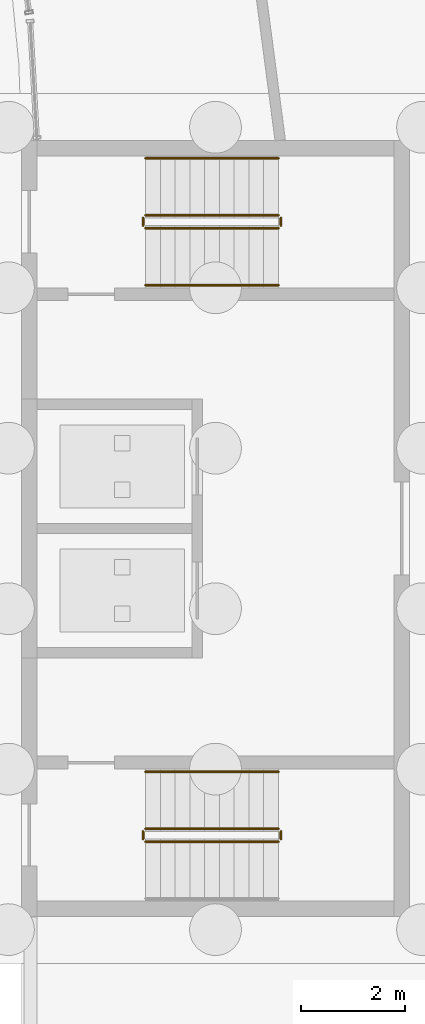
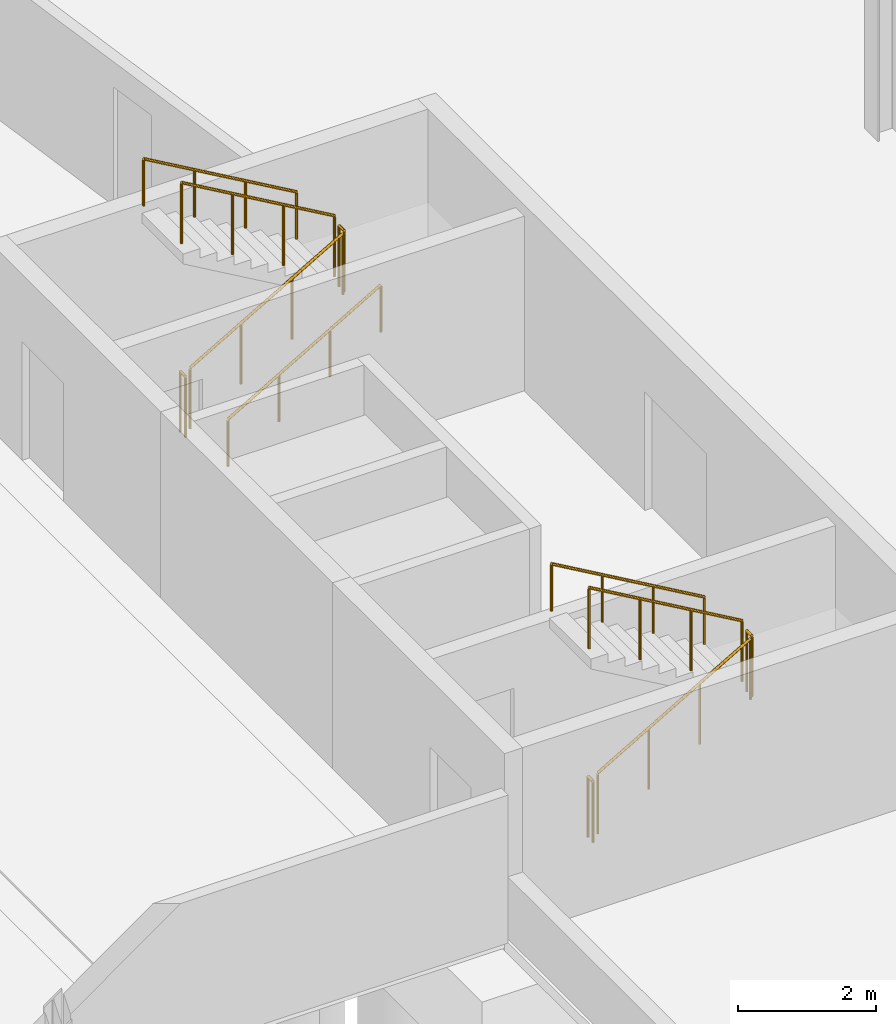
# One storey, part 124 of 130: 11 railings.
"""IFC4 building model written with IfcOpenShell, lengths in metres."""

from ifc_helpers import new_model, si_unit, direction, frame, origin, origin_2d, place, context, subcontext, project, spatial, circle, extrude, material, type_object, element, save


model = new_model("IFC4")

# Units and contexts
model_context = context("Model", 3, precision=1e-05, world=origin(), true_north=direction((0.0, 1.0)))
body_context = subcontext(model_context, "Body", "Model", "MODEL_VIEW")
ifc_project = project(units=[si_unit("LENGTHUNIT", "METRE"), si_unit("AREAUNIT", "SQUARE_METRE"), si_unit("VOLUMEUNIT", "CUBIC_METRE"), si_unit("PLANEANGLEUNIT", "RADIAN"), si_unit("MASSUNIT", "GRAM", prefix="KILO")], contexts=[model_context])

# Site, building, storey
site_placement = place(None, origin())
site = spatial("IfcSite", under=ifc_project, at=site_placement, CompositionType="ELEMENT")
building_placement = place(site_placement, origin())
building = spatial("IfcBuilding", under=site, at=building_placement, Name="Parallax Yard Mobility Hub", CompositionType="ELEMENT")
storey_placement = place(building_placement, origin())
storey = spatial("IfcBuildingStorey", under=building, at=storey_placement, Name="L00", CompositionType="ELEMENT", Elevation=0.0)

# Railings
ifc_material = material(Name="Steel ASTM A36", Category="steel")
railing_type_1 = type_object("IfcRailingType", Name="Stair guard 1100", PredefinedType="GUARDRAIL", material=ifc_material)
railing_1_placement = place(storey_placement, frame((197.39990234375, 76.449951171875, 0.1650390625)))
element("IfcRailing", 1, at=railing_1_placement, inside=storey, type_object=railing_type_1, Name="L00 ST7 stair guard 1", PredefinedType="GUARDRAIL", context=body_context, shape_type="SweptSolid", body=[
    extrude(circle(Radius=0.02392578125, at=origin_2d()), frame((0.0, 0.0, 1.076171875), z_axis=(0.865461999751, 0.0, 0.500974577186), x_axis=(0.0, 1.0, 0.0)), (0.0, 0.0, 1.0), 2.9638671875),
    extrude(circle(Radius=0.02099609375, at=origin_2d()), origin(), (0.0, 0.0, 1.0), 1.052001953125),
    extrude(circle(Radius=0.02099609375, at=origin_2d()), frame((0.85498046875, 0.0, 0.494873046875)), (0.0, 0.0, 1.0), 1.052001953125),
    extrude(circle(Radius=0.02099609375, at=origin_2d()), frame((1.710205078125, 0.0, 0.989990234375)), (0.0, 0.0, 1.0), 1.052001953125),
    extrude(circle(Radius=0.02099609375, at=origin_2d()), frame((2.565185546875, 0.0, 1.48486328125)), (0.0, 0.0, 1.0), 1.052001953125),
])
railing_2_placement = place(storey_placement, frame((200.014892578125, 76.5, 1.64990234375)))
element("IfcRailing", 2, at=railing_2_placement, inside=storey, type_object=railing_type_1, Name="L00 ST7 stair guard 2", PredefinedType="GUARDRAIL", context=body_context, shape_type="SweptSolid", body=[
    extrude(circle(Radius=0.02392578125, at=origin_2d()), frame((0.0, 0.0, 1.076171875), z_axis=(0.0, 1.0, 0.0), x_axis=(-1.0, 0.0, 0.0)), (0.0, 0.0, 1.0), 0.14990234375),
    extrude(circle(Radius=0.02099609375, at=origin_2d()), origin(), (0.0, 0.0, 1.0), 1.052001953125),
    extrude(circle(Radius=0.02099609375, at=origin_2d()), frame((0.0, 0.14990234375, 0.0)), (0.0, 0.0, 1.0), 1.052001953125),
])
railing_3_placement = place(storey_placement, frame((199.965087890625, 76.699951171875, 1.81494140625)))
element("IfcRailing", 3, at=railing_3_placement, inside=storey, type_object=railing_type_1, Name="L00 ST7 stair guard 3", PredefinedType="GUARDRAIL", context=body_context, shape_type="SweptSolid", body=[
    extrude(circle(Radius=0.02392578125, at=origin_2d()), frame((0.0, 0.0, 1.076171875), z_axis=(-0.865426285481, 0.0, 0.501036270542), x_axis=(0.0, -1.0, 0.0)), (0.0, 0.0, 1.0), 2.964111328125),
    extrude(circle(Radius=0.02099609375, at=origin_2d()), origin(), (0.0, 0.0, 1.0), 1.052001953125),
    extrude(circle(Radius=0.02099609375, at=origin_2d()), frame((-0.85498046875, 0.0, 0.4951171875)), (0.0, 0.0, 1.0), 1.052001953125),
    extrude(circle(Radius=0.02099609375, at=origin_2d()), frame((-1.710205078125, 0.0, 0.989990234375)), (0.0, 0.0, 1.0), 1.052001953125),
    extrude(circle(Radius=0.02099609375, at=origin_2d()), frame((-2.565185546875, 0.0, 1.485107421875)), (0.0, 0.0, 1.0), 1.052001953125),
])
railing_4_placement = place(storey_placement, frame((197.35009765625, 76.5, 0.0)))
element("IfcRailing", 4, at=railing_4_placement, inside=storey, type_object=railing_type_1, Name="L00 ST7 stair guard 4", PredefinedType="GUARDRAIL", context=body_context, shape_type="SweptSolid", body=[
    extrude(circle(Radius=0.02392578125, at=origin_2d()), frame((0.0, 0.0, 1.076171875), z_axis=(0.0, 1.0, 0.0), x_axis=(-1.0, 0.0, 0.0)), (0.0, 0.0, 1.0), 0.14990234375),
    extrude(circle(Radius=0.02099609375, at=origin_2d()), origin(), (0.0, 0.0, 1.0), 1.052001953125),
    extrude(circle(Radius=0.02099609375, at=origin_2d()), frame((0.0, 0.14990234375, 0.0)), (0.0, 0.0, 1.0), 1.052001953125),
])
railing_5_placement = place(storey_placement, frame((197.39990234375, 88.300048828125, 0.1650390625)))
element("IfcRailing", 5, at=railing_5_placement, inside=storey, type_object=railing_type_1, Name="L00 ST8 stair guard 1", PredefinedType="GUARDRAIL", context=body_context, shape_type="SweptSolid", body=[
    extrude(circle(Radius=0.02392578125, at=origin_2d()), frame((0.0, 0.0, 1.076171875), z_axis=(0.865461999751, 0.0, 0.500974577186), x_axis=(0.0, 1.0, 0.0)), (0.0, 0.0, 1.0), 2.9638671875),
    extrude(circle(Radius=0.02099609375, at=origin_2d()), origin(), (0.0, 0.0, 1.0), 1.052001953125),
    extrude(circle(Radius=0.02099609375, at=origin_2d()), frame((0.85498046875, 0.0, 0.494873046875)), (0.0, 0.0, 1.0), 1.052001953125),
    extrude(circle(Radius=0.02099609375, at=origin_2d()), frame((1.710205078125, 0.0, 0.989990234375)), (0.0, 0.0, 1.0), 1.052001953125),
    extrude(circle(Radius=0.02099609375, at=origin_2d()), frame((2.565185546875, 0.0, 1.48486328125)), (0.0, 0.0, 1.0), 1.052001953125),
])
railing_6_placement = place(storey_placement, frame((200.014892578125, 88.35009765625, 1.64990234375)))
element("IfcRailing", 6, at=railing_6_placement, inside=storey, type_object=railing_type_1, Name="L00 ST8 stair guard 2", PredefinedType="GUARDRAIL", context=body_context, shape_type="SweptSolid", body=[
    extrude(circle(Radius=0.02392578125, at=origin_2d()), frame((0.0, 0.0, 1.076171875), z_axis=(0.0, 1.0, 0.0), x_axis=(-1.0, 0.0, 0.0)), (0.0, 0.0, 1.0), 0.14990234375),
    extrude(circle(Radius=0.02099609375, at=origin_2d()), origin(), (0.0, 0.0, 1.0), 1.052001953125),
    extrude(circle(Radius=0.02099609375, at=origin_2d()), frame((0.0, 0.14990234375, 0.0)), (0.0, 0.0, 1.0), 1.052001953125),
])
railing_7_placement = place(storey_placement, frame((199.965087890625, 88.550048828125, 1.81494140625)))
element("IfcRailing", 7, at=railing_7_placement, inside=storey, type_object=railing_type_1, Name="L00 ST8 stair guard 3", PredefinedType="GUARDRAIL", context=body_context, shape_type="SweptSolid", body=[
    extrude(circle(Radius=0.02392578125, at=origin_2d()), frame((0.0, 0.0, 1.076171875), z_axis=(-0.865426285481, 0.0, 0.501036270542), x_axis=(0.0, -1.0, 0.0)), (0.0, 0.0, 1.0), 2.964111328125),
    extrude(circle(Radius=0.02099609375, at=origin_2d()), origin(), (0.0, 0.0, 1.0), 1.052001953125),
    extrude(circle(Radius=0.02099609375, at=origin_2d()), frame((-0.85498046875, 0.0, 0.4951171875)), (0.0, 0.0, 1.0), 1.052001953125),
    extrude(circle(Radius=0.02099609375, at=origin_2d()), frame((-1.710205078125, 0.0, 0.989990234375)), (0.0, 0.0, 1.0), 1.052001953125),
    extrude(circle(Radius=0.02099609375, at=origin_2d()), frame((-2.565185546875, 0.0, 1.485107421875)), (0.0, 0.0, 1.0), 1.052001953125),
])
railing_8_placement = place(storey_placement, frame((197.35009765625, 88.35009765625, 0.0)))
element("IfcRailing", 8, at=railing_8_placement, inside=storey, type_object=railing_type_1, Name="L00 ST8 stair guard 4", PredefinedType="GUARDRAIL", context=body_context, shape_type="SweptSolid", body=[
    extrude(circle(Radius=0.02392578125, at=origin_2d()), frame((0.0, 0.0, 1.076171875), z_axis=(0.0, 1.0, 0.0), x_axis=(-1.0, 0.0, 0.0)), (0.0, 0.0, 1.0), 0.14990234375),
    extrude(circle(Radius=0.02099609375, at=origin_2d()), origin(), (0.0, 0.0, 1.0), 1.052001953125),
    extrude(circle(Radius=0.02099609375, at=origin_2d()), frame((0.0, 0.14990234375, 0.0)), (0.0, 0.0, 1.0), 1.052001953125),
])
railing_type_2 = type_object("IfcRailingType", Name="Stair handrail", PredefinedType="HANDRAIL", material=ifc_material)
railing_9_placement = place(storey_placement, frame((199.965087890625, 77.800048828125, 1.81494140625)))
element("IfcRailing", 9, at=railing_9_placement, inside=storey, type_object=railing_type_2, Name="L00 ST7 stair handrail 2", PredefinedType="HANDRAIL", context=body_context, shape_type="SweptSolid", body=[
    extrude(circle(Radius=0.02392578125, at=origin_2d()), frame((0.0, 0.0, 0.8310546875), z_axis=(-0.865426285481, 0.0, 0.501036270542), x_axis=(0.0, -1.0, 0.0)), (0.0, 0.0, 1.0), 2.964111328125),
    extrude(circle(Radius=0.02099609375, at=origin_2d()), origin(), (0.0, 0.0, 1.0), 0.806884765625),
    extrude(circle(Radius=0.02099609375, at=origin_2d()), frame((-0.85498046875, 0.0, 0.4951171875)), (0.0, 0.0, 1.0), 0.806884765625),
    extrude(circle(Radius=0.02099609375, at=origin_2d()), frame((-1.710205078125, 0.0, 0.989990234375)), (0.0, 0.0, 1.0), 0.806884765625),
    extrude(circle(Radius=0.02099609375, at=origin_2d()), frame((-2.565185546875, 0.0, 1.485107421875)), (0.0, 0.0, 1.0), 0.806884765625),
])
railing_10_placement = place(storey_placement, frame((197.39990234375, 87.199951171875, 0.1650390625)))
element("IfcRailing", 10, at=railing_10_placement, inside=storey, type_object=railing_type_2, Name="L00 ST8 stair handrail 1", PredefinedType="HANDRAIL", context=body_context, shape_type="SweptSolid", body=[
    extrude(circle(Radius=0.02392578125, at=origin_2d()), frame((0.0, 0.0, 0.8310546875), z_axis=(0.865461999751, 0.0, 0.500974577186), x_axis=(0.0, 1.0, 0.0)), (0.0, 0.0, 1.0), 2.9638671875),
    extrude(circle(Radius=0.02099609375, at=origin_2d()), origin(), (0.0, 0.0, 1.0), 0.806884765625),
    extrude(circle(Radius=0.02099609375, at=origin_2d()), frame((0.85498046875, 0.0, 0.494873046875)), (0.0, 0.0, 1.0), 0.806884765625),
    extrude(circle(Radius=0.02099609375, at=origin_2d()), frame((1.710205078125, 0.0, 0.989990234375)), (0.0, 0.0, 1.0), 0.806884765625),
    extrude(circle(Radius=0.02099609375, at=origin_2d()), frame((2.565185546875, 0.0, 1.48486328125)), (0.0, 0.0, 1.0), 0.806884765625),
])
railing_11_placement = place(storey_placement, frame((199.965087890625, 89.64990234375, 1.81494140625)))
element("IfcRailing", 11, at=railing_11_placement, inside=storey, type_object=railing_type_2, Name="L00 ST8 stair handrail 2", PredefinedType="HANDRAIL", context=body_context, shape_type="SweptSolid", body=[
    extrude(circle(Radius=0.02392578125, at=origin_2d()), frame((0.0, 0.0, 0.8310546875), z_axis=(-0.865426285481, 0.0, 0.501036270542), x_axis=(0.0, -1.0, 0.0)), (0.0, 0.0, 1.0), 2.964111328125),
    extrude(circle(Radius=0.02099609375, at=origin_2d()), origin(), (0.0, 0.0, 1.0), 0.806884765625),
    extrude(circle(Radius=0.02099609375, at=origin_2d()), frame((-0.85498046875, 0.0, 0.4951171875)), (0.0, 0.0, 1.0), 0.806884765625),
    extrude(circle(Radius=0.02099609375, at=origin_2d()), frame((-1.710205078125, 0.0, 0.989990234375)), (0.0, 0.0, 1.0), 0.806884765625),
    extrude(circle(Radius=0.02099609375, at=origin_2d()), frame((-2.565185546875, 0.0, 1.485107421875)), (0.0, 0.0, 1.0), 0.806884765625),
])

save(model, "model.ifc")
